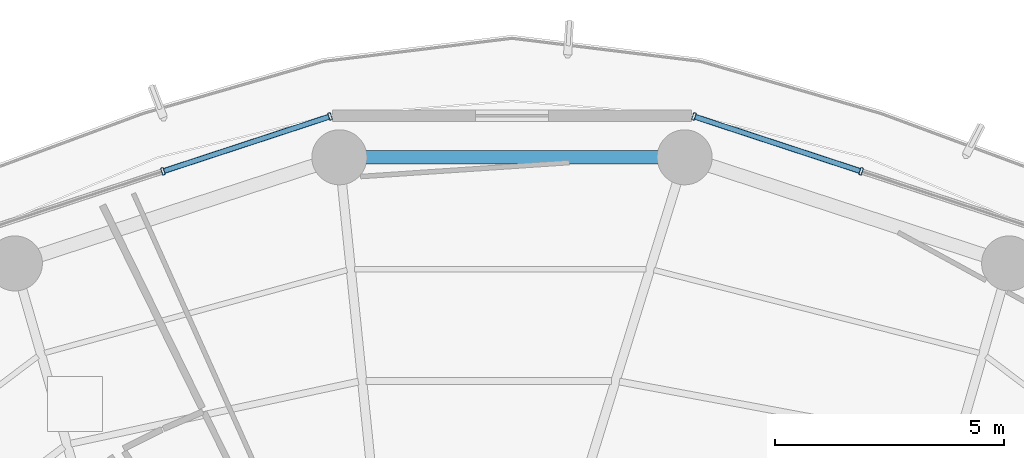
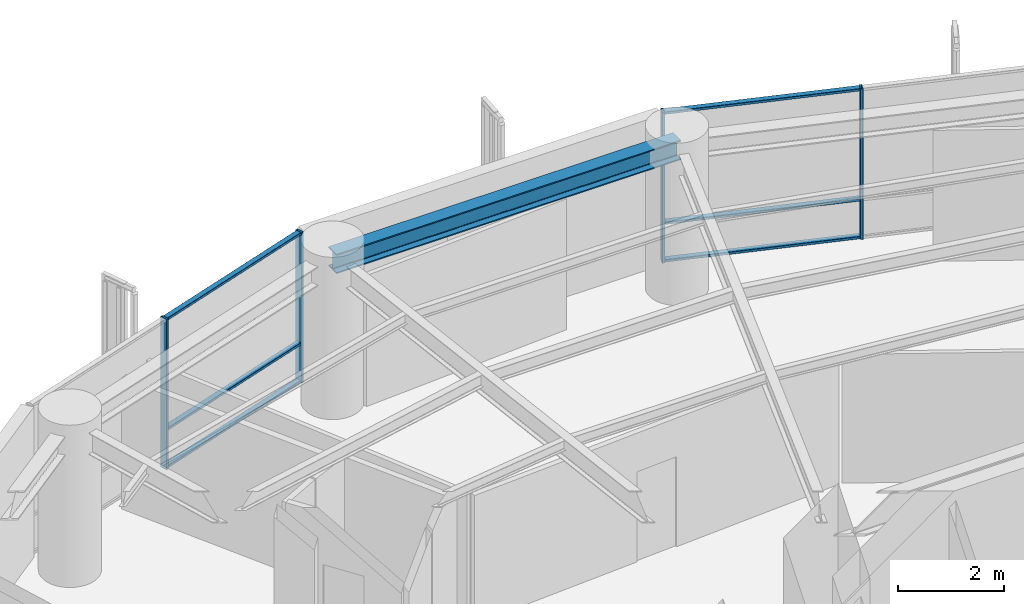
# One storey, part 18 of 27: 10 members, 1 beam, 2 elements without a shape of their own.
"""IFC4 building model written with IfcOpenShell, lengths in metres."""

from ifc_helpers import new_model, si_unit, direction, frame, origin, origin_2d, place, context, subcontext, project, spatial, hollow_rectangle, i_section, extrude, material, layer, layer_set, material_profile, profile_set, type_object, element, aggregate, save


model = new_model("IFC4")

# Units and contexts
model_context = context("Model", 3, precision=1e-05, world=origin(), true_north=direction((0.0, 1.0)))
body_context = subcontext(model_context, "Body", "Model", "MODEL_VIEW")
ifc_project = project(units=[si_unit("LENGTHUNIT", "METRE"), si_unit("AREAUNIT", "SQUARE_METRE"), si_unit("VOLUMEUNIT", "CUBIC_METRE"), si_unit("PLANEANGLEUNIT", "RADIAN"), si_unit("MASSUNIT", "GRAM", prefix="KILO")], contexts=[model_context])

# Site, building, storey
site_placement = place(None, origin())
site = spatial("IfcSite", under=ifc_project, at=site_placement, CompositionType="ELEMENT")
building_placement = place(site_placement, origin())
building = spatial("IfcBuilding", under=site, at=building_placement, Name="Kelanora Arch Commons", CompositionType="ELEMENT")
storey_placement = place(building_placement, frame((0.0, 0.0, 143.10009765625)))
storey = spatial("IfcBuildingStorey", under=building, at=storey_placement, Name="L36", CompositionType="ELEMENT", Elevation=143.10009765625)

# Beam
ifc_material_1 = material(Name="Steel S355", Category="steel")
ifc_material_profile_1 = material_profile(ifc_material_1, i_section(OverallWidth=0.300048828125, OverallDepth=0.449951171875, WebThickness=0.013916015625, FlangeThickness=0.02587890625, FilletRadius=0.027099609375, at=origin_2d()), Name="HEB450")
ifc_profile_set_1 = profile_set([ifc_material_profile_1], Name="Steel S355")
beam_type = type_object("IfcBeamType", Name="BM-SPN-Z3", PredefinedType="SPANDREL", material=ifc_profile_set_1)
beam_placement = place(storey_placement, frame((77.7646484375, 77.18408203125, 3.264892578125), z_axis=(-1.0, 0.0, 0.0), x_axis=(0.0, -1.0, 0.0)))
element("IfcBeam", 1, at=beam_placement, inside=storey, type_object=beam_type, Name="Perimeter Spandrel Beam BS-08 L36", PredefinedType="SPANDREL", context=body_context, shape_type="SweptSolid", body=[
    extrude(i_section(OverallWidth=0.300048828125, OverallDepth=0.449951171875, WebThickness=0.013916015625, FlangeThickness=0.02587890625, FilletRadius=0.027099609375, at=origin_2d()), origin(), (0.0, 0.0, 1.0), 7.529296875),
])

# Curtain wall, members
ifc_material_2 = material(Name="Terracotta ceramic-fritted low-E glass and aluminium", Category="masonry")
ifc_layer = layer(ifc_material_2, 0.175048828125)
ifc_layer_set = layer_set([ifc_layer], Name="Terracotta ceramic-fritted low-E glass and aluminium")
curtain_wall_type = type_object("IfcCurtainWallType", Name="CW-SYS-02", PredefinedType="NOTDEFINED", material=ifc_layer_set)
curtain_wall_1_placement = place(storey_placement, origin())
curtain_wall_1 = element("IfcCurtainWall", 2, at=curtain_wall_1_placement, inside=storey, type_object=curtain_wall_type, Name="Unitised Curtain Wall L36-B03", PredefinedType="NOTDEFINED")
ifc_material_3 = material(Name="Powder-coated aluminium terracotta", Category="masonry")
ifc_material_profile_2 = material_profile(ifc_material_3, hollow_rectangle(XDim=0.159912109375, YDim=0.06005859375, WallThickness=0.0048828125, InnerFilletRadius=0.0048828125, OuterFilletRadius=0.010009765625, at=origin_2d()), Name="CWM160x60")
ifc_profile_set_2 = profile_set([ifc_material_profile_2], Name="Powder-coated aluminium terracotta")
member_type_1 = type_object("IfcMemberType", Name="CWM-STD", PredefinedType="MULLION", material=ifc_profile_set_2)
member_1_placement = place(storey_placement, frame((81.6123046875, 76.87841796875, 0.0), z_axis=(0.0, 0.0, 1.0), x_axis=(-0.312128279571, -0.95003996605, 0.0)))
member_1 = element("IfcMember", 3, at=member_1_placement, type_object=member_type_1, Name="CW-02 mullion 2", PredefinedType="MULLION", context=body_context, shape_type="SweptSolid", body=[
    extrude(hollow_rectangle(XDim=0.159912109375, YDim=0.06005859375, WallThickness=0.0048828125, InnerFilletRadius=0.0048828125, OuterFilletRadius=0.010009765625, at=origin_2d()), origin(), (0.0, 0.0, 1.0), 3.474853515625),
])
member_2_placement = place(storey_placement, frame((77.96728515625, 78.075927734375, 0.0), z_axis=(0.0, 0.0, 1.0), x_axis=(-0.312128279571, -0.95003996605, 0.0)))
member_2 = element("IfcMember", 4, at=member_2_placement, type_object=member_type_1, Name="CW-02 mullion 3", PredefinedType="MULLION", context=body_context, shape_type="SweptSolid", body=[
    extrude(hollow_rectangle(XDim=0.159912109375, YDim=0.06005859375, WallThickness=0.0048828125, InnerFilletRadius=0.0048828125, OuterFilletRadius=0.010009765625, at=origin_2d()), origin(), (0.0, 0.0, 1.0), 3.474853515625),
])

curtain_wall_2_placement = place(storey_placement, origin())
curtain_wall_2 = element("IfcCurtainWall", 5, at=curtain_wall_2_placement, inside=storey, type_object=curtain_wall_type, Name="Unitised Curtain Wall L36-B05", PredefinedType="NOTDEFINED")
member_3_placement = place(storey_placement, frame((70.03271484375, 78.075927734375, 0.0), z_axis=(0.0, 0.0, 1.0), x_axis=(0.312128279571, -0.95003996605, 0.0)))
member_3 = element("IfcMember", 6, at=member_3_placement, type_object=member_type_1, Name="CW-02 mullion 1", PredefinedType="MULLION", context=body_context, shape_type="SweptSolid", body=[
    extrude(hollow_rectangle(XDim=0.159912109375, YDim=0.06005859375, WallThickness=0.0048828125, InnerFilletRadius=0.0048828125, OuterFilletRadius=0.010009765625, at=origin_2d()), origin(), (0.0, 0.0, 1.0), 3.474853515625),
])
member_4_placement = place(storey_placement, frame((66.3876953125, 76.87841796875, 0.0), z_axis=(0.0, 0.0, 1.0), x_axis=(0.312128279571, -0.95003996605, 0.0)))
member_4 = element("IfcMember", 7, at=member_4_placement, type_object=member_type_1, Name="CW-02 mullion 2", PredefinedType="MULLION", context=body_context, shape_type="SweptSolid", body=[
    extrude(hollow_rectangle(XDim=0.159912109375, YDim=0.06005859375, WallThickness=0.0048828125, InnerFilletRadius=0.0048828125, OuterFilletRadius=0.010009765625, at=origin_2d()), origin(), (0.0, 0.0, 1.0), 3.474853515625),
])

# Member
ifc_material_profile_3 = material_profile(ifc_material_3, hollow_rectangle(XDim=0.1201171875, YDim=0.06005859375, WallThickness=0.0048828125, InnerFilletRadius=0.0048828125, OuterFilletRadius=0.010009765625, at=origin_2d()), Name="CWT120x60")
ifc_profile_set_3 = profile_set([ifc_material_profile_3], Name="Powder-coated aluminium terracotta")
member_type_2 = type_object("IfcMemberType", Name="CWT-STD", PredefinedType="USERDEFINED", material=ifc_profile_set_3)
member_5_placement = place(storey_placement, frame((81.583740234375, 76.887939453125, 0.02978515625), z_axis=(-0.950051191155, 0.312094111104, 0.0), x_axis=(-0.312094111104, -0.950051191155, 0.0)))
member_5 = element("IfcMember", 8, at=member_5_placement, type_object=member_type_2, Name="CW-02 transom 2.1", ObjectType="TRANSOM", PredefinedType="USERDEFINED", context=body_context, shape_type="SweptSolid", body=[
    extrude(hollow_rectangle(XDim=0.1201171875, YDim=0.06005859375, WallThickness=0.0048828125, InnerFilletRadius=0.0048828125, OuterFilletRadius=0.010009765625, at=origin_2d()), origin(), (0.0, 0.0, 1.0), 3.77685546875),
])

member_6_placement = place(storey_placement, frame((81.583740234375, 76.887939453125, 0.89990234375), z_axis=(-0.950051191155, 0.312094111104, 0.0), x_axis=(-0.312094111104, -0.950051191155, 0.0)))
member_6 = element("IfcMember", 9, at=member_6_placement, type_object=member_type_2, Name="CW-02 transom 2.2", ObjectType="TRANSOM", PredefinedType="USERDEFINED", context=body_context, shape_type="SweptSolid", body=[
    extrude(hollow_rectangle(XDim=0.1201171875, YDim=0.06005859375, WallThickness=0.0048828125, InnerFilletRadius=0.0048828125, OuterFilletRadius=0.010009765625, at=origin_2d()), origin(), (0.0, 0.0, 1.0), 3.77685546875),
])

member_7_placement = place(storey_placement, frame((81.583740234375, 76.887939453125, 3.44482421875), z_axis=(-0.950051191155, 0.312094111104, 0.0), x_axis=(-0.312094111104, -0.950051191155, 0.0)))
member_7 = element("IfcMember", 10, at=member_7_placement, type_object=member_type_2, Name="CW-02 transom 2.3", ObjectType="TRANSOM", PredefinedType="USERDEFINED", context=body_context, shape_type="SweptSolid", body=[
    extrude(hollow_rectangle(XDim=0.1201171875, YDim=0.06005859375, WallThickness=0.0048828125, InnerFilletRadius=0.0048828125, OuterFilletRadius=0.010009765625, at=origin_2d()), origin(), (0.0, 0.0, 1.0), 3.77685546875),
])

aggregate(curtain_wall_1, [member_1, member_2, member_5, member_6, member_7])

member_8_placement = place(storey_placement, frame((70.00439453125, 78.066650390625, 0.02978515625), z_axis=(-0.950051191155, -0.312094111104, 0.0), x_axis=(0.312094111104, -0.950051191155, 0.0)))
member_8 = element("IfcMember", 11, at=member_8_placement, type_object=member_type_2, Name="CW-02 transom 1.1", ObjectType="TRANSOM", PredefinedType="USERDEFINED", context=body_context, shape_type="SweptSolid", body=[
    extrude(hollow_rectangle(XDim=0.1201171875, YDim=0.06005859375, WallThickness=0.0048828125, InnerFilletRadius=0.0048828125, OuterFilletRadius=0.010009765625, at=origin_2d()), origin(), (0.0, 0.0, 1.0), 3.77685546875),
])

member_9_placement = place(storey_placement, frame((70.00439453125, 78.066650390625, 0.89990234375), z_axis=(-0.950051191155, -0.312094111104, 0.0), x_axis=(0.312094111104, -0.950051191155, 0.0)))
member_9 = element("IfcMember", 12, at=member_9_placement, type_object=member_type_2, Name="CW-02 transom 1.2", ObjectType="TRANSOM", PredefinedType="USERDEFINED", context=body_context, shape_type="SweptSolid", body=[
    extrude(hollow_rectangle(XDim=0.1201171875, YDim=0.06005859375, WallThickness=0.0048828125, InnerFilletRadius=0.0048828125, OuterFilletRadius=0.010009765625, at=origin_2d()), origin(), (0.0, 0.0, 1.0), 3.77685546875),
])

member_10_placement = place(storey_placement, frame((70.00439453125, 78.066650390625, 3.44482421875), z_axis=(-0.950051191155, -0.312094111104, 0.0), x_axis=(0.312094111104, -0.950051191155, 0.0)))
member_10 = element("IfcMember", 13, at=member_10_placement, type_object=member_type_2, Name="CW-02 transom 1.3", ObjectType="TRANSOM", PredefinedType="USERDEFINED", context=body_context, shape_type="SweptSolid", body=[
    extrude(hollow_rectangle(XDim=0.1201171875, YDim=0.06005859375, WallThickness=0.0048828125, InnerFilletRadius=0.0048828125, OuterFilletRadius=0.010009765625, at=origin_2d()), origin(), (0.0, 0.0, 1.0), 3.77685546875),
])

aggregate(curtain_wall_2, [member_3, member_4, member_8, member_9, member_10])

save(model, "model.ifc")
